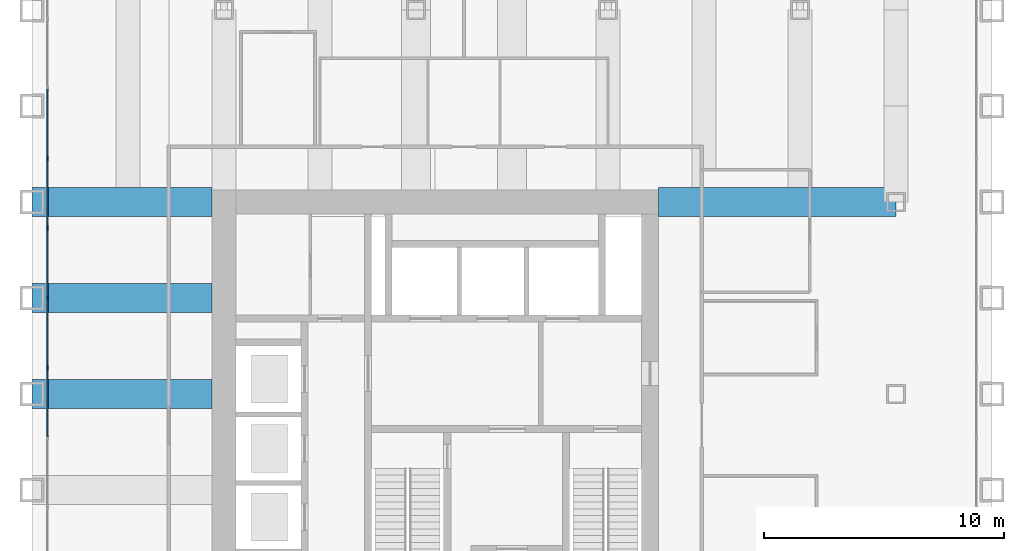
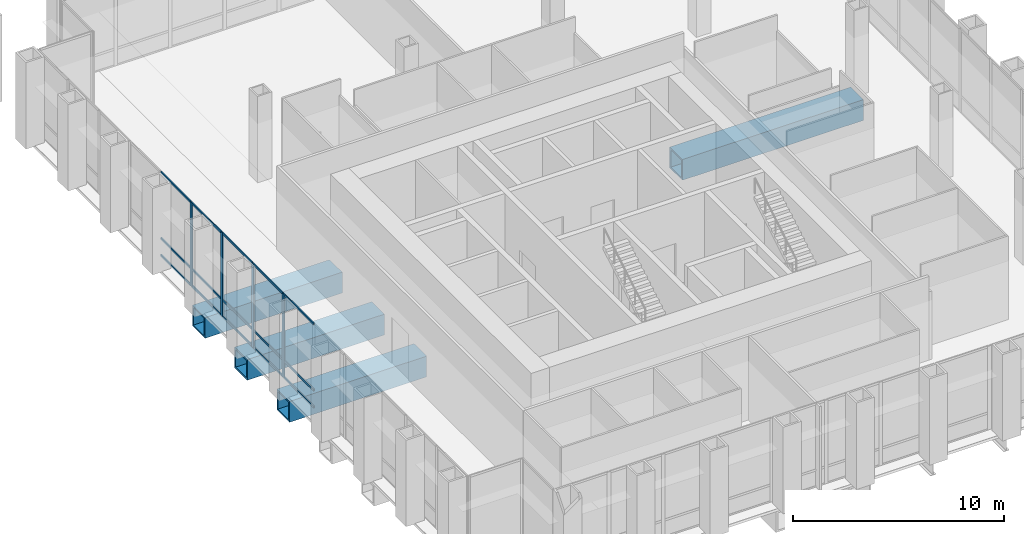
# One storey, part 4 of 13: 19 members, 4 beams, 1 element without a shape of its own.
"""IFC4 building model written with IfcOpenShell, lengths in metres."""

from ifc_helpers import new_model, si_unit, direction, frame, origin, origin_2d, place, context, subcontext, project, spatial, rectangle, hollow_rectangle, extrude, material, material_profile, profile_set, type_object, element, aggregate, save


model = new_model("IFC4")

# Units and contexts
model_context = context("Model", 3, precision=1e-05, world=origin(), true_north=direction((0.0, 1.0)))
body_context = subcontext(model_context, "Body", "Model", "MODEL_VIEW")
ifc_project = project(units=[si_unit("LENGTHUNIT", "METRE"), si_unit("AREAUNIT", "SQUARE_METRE"), si_unit("VOLUMEUNIT", "CUBIC_METRE"), si_unit("PLANEANGLEUNIT", "RADIAN"), si_unit("MASSUNIT", "GRAM", prefix="KILO")], contexts=[model_context])

# Site, building, storey
site_placement = place(None, origin())
site = spatial("IfcSite", under=ifc_project, at=site_placement, CompositionType="ELEMENT")
building_placement = place(site_placement, origin())
building = spatial("IfcBuilding", under=site, at=building_placement, Name="Rimbunsela Tower", CompositionType="ELEMENT")
storey_placement = place(building_placement, frame((0.0, 0.0, 209.199951171875)))
storey = spatial("IfcBuildingStorey", under=building, at=storey_placement, Name="L50", CompositionType="ELEMENT", Elevation=209.199951171875)

# Beams
ifc_material_1 = material(Name="Steel BJ 55 (fy 410 MPa)", Category="steel")
ifc_material_profile_1 = material_profile(ifc_material_1, hollow_rectangle(XDim=1.199951171875, YDim=1.199951171875, WallThickness=0.10009765625, at=origin_2d()), Name="BOX 1200x1200x100")
ifc_profile_set_1 = profile_set([ifc_material_profile_1], Name="Steel BJ 55 (fy 410 MPa)")
beam_type = type_object("IfcBeamType", Name="Beam BOX 1200x1200x100", PredefinedType="BEAM", material=ifc_profile_set_1)
for number, where, z_axis, x_axis, name in (
    (1, (10.0, 28.0, -0.75), (1.0, 0.0, 0.0), (0.0, 1.0, 0.0), "Beam B5 L50"),
    (2, (10.0, 32.0, -0.75), (1.0, 0.0, 0.0), (0.0, 1.0, 0.0), "Beam B5 L50"),
    (3, (10.0, 36.0, -0.75), (1.0, 0.0, 0.0), (0.0, 1.0, 0.0), "Beam B5 L50"),
):
    element("IfcBeam", number, at=place(storey_placement, frame(where, z_axis=z_axis, x_axis=x_axis)), inside=storey, type_object=beam_type, Name=name, PredefinedType="BEAM", context=body_context, shape_type="SweptSolid", body=[
        extrude(hollow_rectangle(XDim=1.199951171875, YDim=1.199951171875, WallThickness=0.10009765625, at=origin_2d()), origin(), (0.0, 0.0, 1.0), 7.5),
    ])
beam_placement = place(storey_placement, frame((36.10009765625, 36.0, -0.75), z_axis=(1.0, 0.0, 0.0), x_axis=(0.0, 1.0, 0.0)))
element("IfcBeam", 4, at=beam_placement, inside=storey, type_object=beam_type, Name="Beam B5 L50", PredefinedType="BEAM", context=body_context, shape_type="SweptSolid", body=[
    extrude(hollow_rectangle(XDim=1.199951171875, YDim=1.199951171875, WallThickness=0.10009765625, at=origin_2d()), origin(), (0.0, 0.0, 1.0), 9.89990234375),
])

# Curtain wall, members
ifc_material_2 = material(Name="Aluminium curtain wall", Category="aluminium")
curtain_wall_type = type_object("IfcCurtainWallType", Name="Sky lobby glazing", PredefinedType="USERDEFINED", material=ifc_material_2)
curtain_wall_placement = place(storey_placement, origin())
curtain_wall = element("IfcCurtainWall", 5, at=curtain_wall_placement, inside=storey, type_object=curtain_wall_type, Name="Sky lobby glazing L50", ObjectType="SKY LOBBY GLAZING", PredefinedType="USERDEFINED")
ifc_material_3 = material(Name="Aluminium mullion", Category="aluminium")
ifc_material_profile_2 = material_profile(ifc_material_3, rectangle(XDim=0.06005859375, YDim=0.199951171875, at=origin_2d()), Name="Mullion 60x200")
ifc_profile_set_2 = profile_set([ifc_material_profile_2], Name="Aluminium mullion")
member_type_1 = type_object("IfcMemberType", Name="Curtain wall mullion 60x200", PredefinedType="MULLION", material=ifc_profile_set_2)
member_1_placement = place(storey_placement, frame((10.64990234375, 37.814208984375, 0.0), z_axis=(0.0, 0.0, 1.0), x_axis=(1.0, 0.0, 0.0)))
member_1 = element("IfcMember", 6, at=member_1_placement, type_object=member_type_1, Name="CW4 mullion 6", PredefinedType="MULLION", context=body_context, shape_type="SweptSolid", body=[
    extrude(rectangle(XDim=0.06005859375, YDim=0.199951171875, at=origin_2d()), origin(), (0.0, 0.0, 1.0), 4.85009765625),
])
member_2_placement = place(storey_placement, frame((10.64990234375, 34.9072265625, 0.0), z_axis=(0.0, 0.0, 1.0), x_axis=(1.0, 0.0, 0.0)))
member_2 = element("IfcMember", 7, at=member_2_placement, type_object=member_type_1, Name="CW4 mullion 7", PredefinedType="MULLION", context=body_context, shape_type="SweptSolid", body=[
    extrude(rectangle(XDim=0.06005859375, YDim=0.199951171875, at=origin_2d()), origin(), (0.0, 0.0, 1.0), 4.85009765625),
])
member_3_placement = place(storey_placement, frame((10.64990234375, 32.0, 0.0), z_axis=(0.0, 0.0, 1.0), x_axis=(1.0, 0.0, 0.0)))
member_3 = element("IfcMember", 8, at=member_3_placement, type_object=member_type_1, Name="CW4 mullion 8", PredefinedType="MULLION", context=body_context, shape_type="SweptSolid", body=[
    extrude(rectangle(XDim=0.06005859375, YDim=0.199951171875, at=origin_2d()), origin(), (0.0, 0.0, 1.0), 4.85009765625),
])
member_4_placement = place(storey_placement, frame((10.64990234375, 29.0927734375, 0.0), z_axis=(0.0, 0.0, 1.0), x_axis=(1.0, 0.0, 0.0)))
member_4 = element("IfcMember", 9, at=member_4_placement, type_object=member_type_1, Name="CW4 mullion 9", PredefinedType="MULLION", context=body_context, shape_type="SweptSolid", body=[
    extrude(rectangle(XDim=0.06005859375, YDim=0.199951171875, at=origin_2d()), origin(), (0.0, 0.0, 1.0), 4.85009765625),
])
ifc_material_4 = material(Name="Aluminium transom", Category="aluminium")
ifc_material_profile_3 = material_profile(ifc_material_4, rectangle(XDim=0.06005859375, YDim=0.1201171875, at=origin_2d()), Name="Transom 60x120")
ifc_profile_set_3 = profile_set([ifc_material_profile_3], Name="Aluminium transom")
member_type_2 = type_object("IfcMemberType", Name="Curtain wall transom 60x120", PredefinedType="USERDEFINED", material=ifc_profile_set_3)
member_5_placement = place(storey_placement, frame((10.64990234375, 40.69140625, 0.030029296875), z_axis=(0.0, -1.0, 0.0), x_axis=(1.0, 0.0, 0.0)))
member_5 = element("IfcMember", 10, at=member_5_placement, type_object=member_type_2, Name="CW4 transom 5.1", ObjectType="TRANSOM", PredefinedType="USERDEFINED", context=body_context, shape_type="SweptSolid", body=[
    extrude(rectangle(XDim=0.06005859375, YDim=0.1201171875, at=origin_2d()), origin(), (0.0, 0.0, 1.0), 2.84716796875),
])
member_6_placement = place(storey_placement, frame((10.64990234375, 40.69140625, 1.0), z_axis=(0.0, -1.0, 0.0), x_axis=(1.0, 0.0, 0.0)))
member_6 = element("IfcMember", 11, at=member_6_placement, type_object=member_type_2, Name="CW4 transom 5.2", ObjectType="TRANSOM", PredefinedType="USERDEFINED", context=body_context, shape_type="SweptSolid", body=[
    extrude(rectangle(XDim=0.06005859375, YDim=0.1201171875, at=origin_2d()), origin(), (0.0, 0.0, 1.0), 2.84716796875),
])
member_7_placement = place(storey_placement, frame((10.64990234375, 40.69140625, 4.820068359375), z_axis=(0.0, -1.0, 0.0), x_axis=(1.0, 0.0, 0.0)))
member_7 = element("IfcMember", 12, at=member_7_placement, type_object=member_type_2, Name="CW4 transom 5.3", ObjectType="TRANSOM", PredefinedType="USERDEFINED", context=body_context, shape_type="SweptSolid", body=[
    extrude(rectangle(XDim=0.06005859375, YDim=0.1201171875, at=origin_2d()), origin(), (0.0, 0.0, 1.0), 2.84716796875),
])
member_8_placement = place(storey_placement, frame((10.64990234375, 37.7841796875, 0.030029296875), z_axis=(0.0, -1.0, 0.0), x_axis=(1.0, 0.0, 0.0)))
member_8 = element("IfcMember", 13, at=member_8_placement, type_object=member_type_2, Name="CW4 transom 6.1", ObjectType="TRANSOM", PredefinedType="USERDEFINED", context=body_context, shape_type="SweptSolid", body=[
    extrude(rectangle(XDim=0.06005859375, YDim=0.1201171875, at=origin_2d()), origin(), (0.0, 0.0, 1.0), 2.846923828125),
])
member_9_placement = place(storey_placement, frame((10.64990234375, 37.7841796875, 1.0), z_axis=(0.0, -1.0, 0.0), x_axis=(1.0, 0.0, 0.0)))
member_9 = element("IfcMember", 14, at=member_9_placement, type_object=member_type_2, Name="CW4 transom 6.2", ObjectType="TRANSOM", PredefinedType="USERDEFINED", context=body_context, shape_type="SweptSolid", body=[
    extrude(rectangle(XDim=0.06005859375, YDim=0.1201171875, at=origin_2d()), origin(), (0.0, 0.0, 1.0), 2.846923828125),
])
member_10_placement = place(storey_placement, frame((10.64990234375, 37.7841796875, 4.820068359375), z_axis=(0.0, -1.0, 0.0), x_axis=(1.0, 0.0, 0.0)))
member_10 = element("IfcMember", 15, at=member_10_placement, type_object=member_type_2, Name="CW4 transom 6.3", ObjectType="TRANSOM", PredefinedType="USERDEFINED", context=body_context, shape_type="SweptSolid", body=[
    extrude(rectangle(XDim=0.06005859375, YDim=0.1201171875, at=origin_2d()), origin(), (0.0, 0.0, 1.0), 2.846923828125),
])
member_11_placement = place(storey_placement, frame((10.64990234375, 34.877197265625, 0.030029296875), z_axis=(0.0, -1.0, 0.0), x_axis=(1.0, 0.0, 0.0)))
member_11 = element("IfcMember", 16, at=member_11_placement, type_object=member_type_2, Name="CW4 transom 7.1", ObjectType="TRANSOM", PredefinedType="USERDEFINED", context=body_context, shape_type="SweptSolid", body=[
    extrude(rectangle(XDim=0.06005859375, YDim=0.1201171875, at=origin_2d()), origin(), (0.0, 0.0, 1.0), 2.84716796875),
])
member_12_placement = place(storey_placement, frame((10.64990234375, 34.877197265625, 1.0), z_axis=(0.0, -1.0, 0.0), x_axis=(1.0, 0.0, 0.0)))
member_12 = element("IfcMember", 17, at=member_12_placement, type_object=member_type_2, Name="CW4 transom 7.2", ObjectType="TRANSOM", PredefinedType="USERDEFINED", context=body_context, shape_type="SweptSolid", body=[
    extrude(rectangle(XDim=0.06005859375, YDim=0.1201171875, at=origin_2d()), origin(), (0.0, 0.0, 1.0), 2.84716796875),
])
member_13_placement = place(storey_placement, frame((10.64990234375, 34.877197265625, 4.820068359375), z_axis=(0.0, -1.0, 0.0), x_axis=(1.0, 0.0, 0.0)))
member_13 = element("IfcMember", 18, at=member_13_placement, type_object=member_type_2, Name="CW4 transom 7.3", ObjectType="TRANSOM", PredefinedType="USERDEFINED", context=body_context, shape_type="SweptSolid", body=[
    extrude(rectangle(XDim=0.06005859375, YDim=0.1201171875, at=origin_2d()), origin(), (0.0, 0.0, 1.0), 2.84716796875),
])
member_14_placement = place(storey_placement, frame((10.64990234375, 31.969970703125, 0.030029296875), z_axis=(0.0, -1.0, 0.0), x_axis=(1.0, 0.0, 0.0)))
member_14 = element("IfcMember", 19, at=member_14_placement, type_object=member_type_2, Name="CW4 transom 8.1", ObjectType="TRANSOM", PredefinedType="USERDEFINED", context=body_context, shape_type="SweptSolid", body=[
    extrude(rectangle(XDim=0.06005859375, YDim=0.1201171875, at=origin_2d()), origin(), (0.0, 0.0, 1.0), 2.84716796875),
])
member_15_placement = place(storey_placement, frame((10.64990234375, 31.969970703125, 1.0), z_axis=(0.0, -1.0, 0.0), x_axis=(1.0, 0.0, 0.0)))
member_15 = element("IfcMember", 20, at=member_15_placement, type_object=member_type_2, Name="CW4 transom 8.2", ObjectType="TRANSOM", PredefinedType="USERDEFINED", context=body_context, shape_type="SweptSolid", body=[
    extrude(rectangle(XDim=0.06005859375, YDim=0.1201171875, at=origin_2d()), origin(), (0.0, 0.0, 1.0), 2.84716796875),
])
member_16_placement = place(storey_placement, frame((10.64990234375, 31.969970703125, 4.820068359375), z_axis=(0.0, -1.0, 0.0), x_axis=(1.0, 0.0, 0.0)))
member_16 = element("IfcMember", 21, at=member_16_placement, type_object=member_type_2, Name="CW4 transom 8.3", ObjectType="TRANSOM", PredefinedType="USERDEFINED", context=body_context, shape_type="SweptSolid", body=[
    extrude(rectangle(XDim=0.06005859375, YDim=0.1201171875, at=origin_2d()), origin(), (0.0, 0.0, 1.0), 2.84716796875),
])
member_17_placement = place(storey_placement, frame((10.64990234375, 29.062744140625, 0.030029296875), z_axis=(0.0, -1.0, 0.0), x_axis=(1.0, 0.0, 0.0)))
member_17 = element("IfcMember", 22, at=member_17_placement, type_object=member_type_2, Name="CW4 transom 9.1", ObjectType="TRANSOM", PredefinedType="USERDEFINED", context=body_context, shape_type="SweptSolid", body=[
    extrude(rectangle(XDim=0.06005859375, YDim=0.1201171875, at=origin_2d()), origin(), (0.0, 0.0, 1.0), 2.846923828125),
])
member_18_placement = place(storey_placement, frame((10.64990234375, 29.062744140625, 1.0), z_axis=(0.0, -1.0, 0.0), x_axis=(1.0, 0.0, 0.0)))
member_18 = element("IfcMember", 23, at=member_18_placement, type_object=member_type_2, Name="CW4 transom 9.2", ObjectType="TRANSOM", PredefinedType="USERDEFINED", context=body_context, shape_type="SweptSolid", body=[
    extrude(rectangle(XDim=0.06005859375, YDim=0.1201171875, at=origin_2d()), origin(), (0.0, 0.0, 1.0), 2.846923828125),
])
member_19_placement = place(storey_placement, frame((10.64990234375, 29.062744140625, 4.820068359375), z_axis=(0.0, -1.0, 0.0), x_axis=(1.0, 0.0, 0.0)))
member_19 = element("IfcMember", 24, at=member_19_placement, type_object=member_type_2, Name="CW4 transom 9.3", ObjectType="TRANSOM", PredefinedType="USERDEFINED", context=body_context, shape_type="SweptSolid", body=[
    extrude(rectangle(XDim=0.06005859375, YDim=0.1201171875, at=origin_2d()), origin(), (0.0, 0.0, 1.0), 2.846923828125),
])
aggregate(curtain_wall, [member_1, member_2, member_3, member_4, member_5, member_6, member_7, member_8, member_9, member_10, member_11, member_12, member_13, member_14, member_15, member_16, member_17, member_18, member_19])

save(model, "model.ifc")
